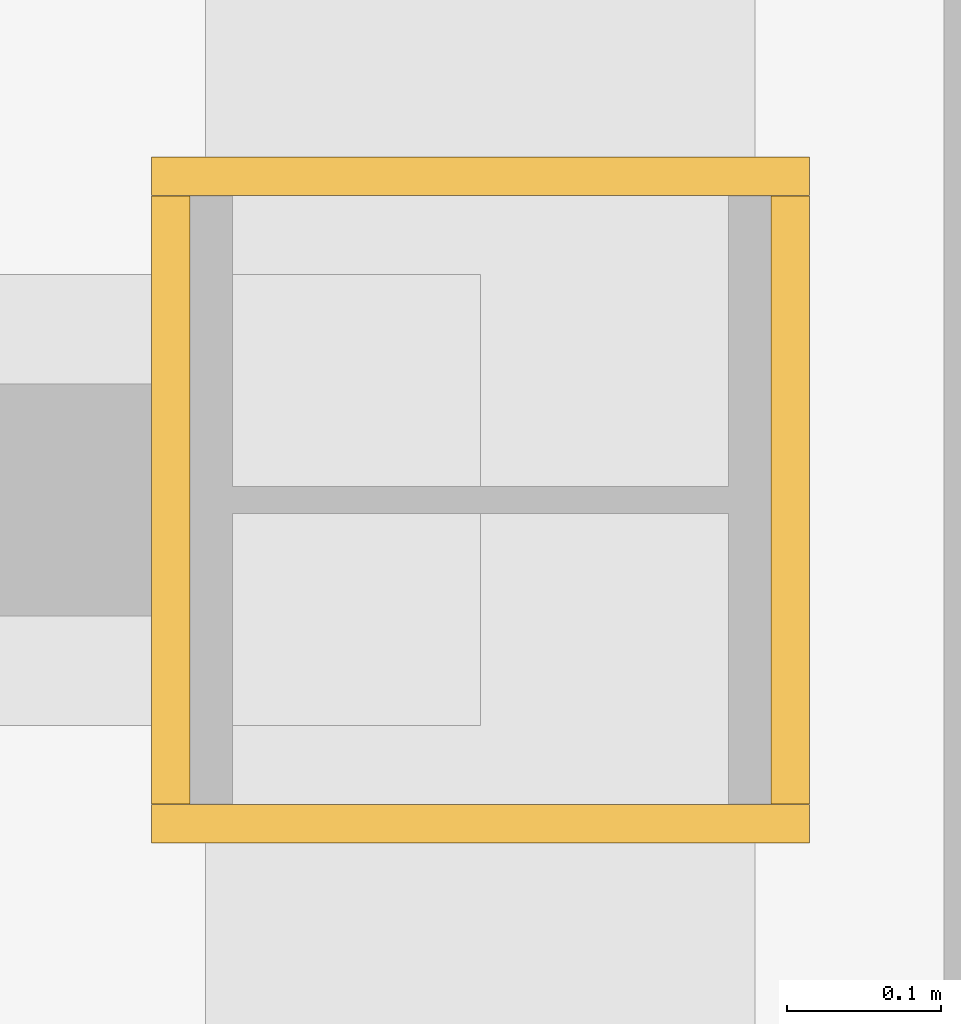
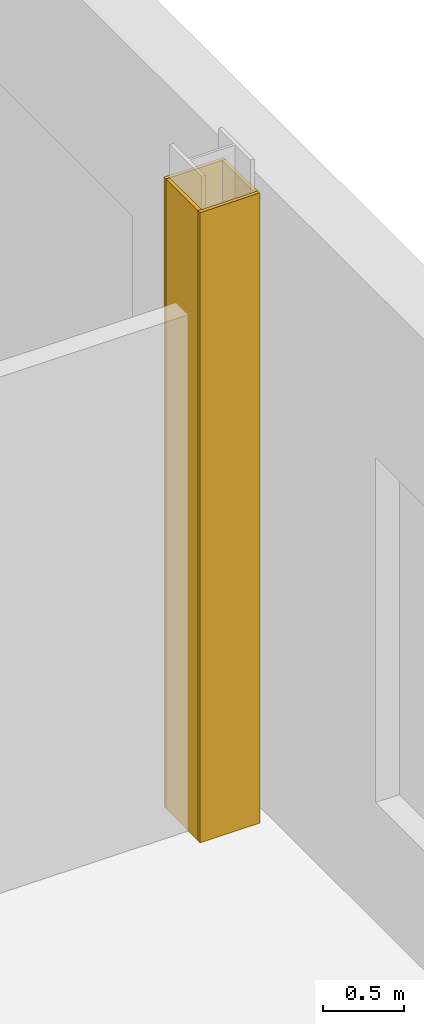
# One storey, part 29 of 31: 4 coverings.
"""IFC4 building model written with IfcOpenShell, lengths in metres."""

from ifc_helpers import new_model, si_unit, direction, frame, origin, origin_2d, place, context, subcontext, project, spatial, rectangle, extrude, material, layer, layer_set, type_object, element, save


model = new_model("IFC4")

# Units and contexts
model_context = context("Model", 3, precision=1e-05, world=origin(), true_north=direction((0.0, 1.0)))
body_context = subcontext(model_context, "Body", "Model", "MODEL_VIEW")
ifc_project = project(units=[si_unit("LENGTHUNIT", "METRE"), si_unit("AREAUNIT", "SQUARE_METRE"), si_unit("VOLUMEUNIT", "CUBIC_METRE"), si_unit("PLANEANGLEUNIT", "RADIAN"), si_unit("MASSUNIT", "GRAM", prefix="KILO")], contexts=[model_context])

# Site, building, storey
site_placement = place(None, origin())
site = spatial("IfcSite", under=ifc_project, at=site_placement, CompositionType="ELEMENT")
building_placement = place(site_placement, origin())
building = spatial("IfcBuilding", under=site, at=building_placement, Name="Loomwork Tower", CompositionType="ELEMENT")
storey_placement = place(building_placement, frame((0.0, 0.0, 11.0)))
storey = spatial("IfcBuildingStorey", under=building, at=storey_placement, Name="L02", CompositionType="ELEMENT", Elevation=11.0)

# Coverings
ifc_material = material(Name="Two-hour fire-rated gypsum board casing")
ifc_layer = layer(ifc_material, 0.02490234375)
ifc_layer_set = layer_set([ifc_layer], Name="Column fire casing 25")
covering_type = type_object("IfcCoveringType", Name="Column fire casing 25", PredefinedType="CLADDING", material=ifc_layer_set)
for number, where, z_axis, x_axis, name in (
    (1, (63.0, 27.20947265625, 0.0), (0.0, 0.0, 1.0), (1.0, 0.0, 0.0), "Column casing 63 27 L02"),
    (2, (63.0, 26.79052734375, 0.0), (0.0, 0.0, 1.0), (1.0, 0.0, 0.0), "Column casing 63 27 L02"),
):
    element("IfcCovering", number, at=place(storey_placement, frame(where, z_axis=z_axis, x_axis=x_axis)), inside=storey, type_object=covering_type, Name=name, PredefinedType="CLADDING", context=body_context, shape_type="SweptSolid", body=[
        extrude(rectangle(XDim=0.42578125, YDim=0.02490234375, at=origin_2d()), origin(), (0.0, 0.0, 1.0), 4.75),
    ])
for number, where, z_axis, x_axis, name in (
    (3, (63.200439453125, 27.0, 0.0), (0.0, 0.0, 1.0), (1.0, 0.0, 0.0), "Column casing 63 27 L02"),
    (4, (62.799560546875, 27.0, 0.0), (0.0, 0.0, 1.0), (1.0, 0.0, 0.0), "Column casing 63 27 L02"),
):
    element("IfcCovering", number, at=place(storey_placement, frame(where, z_axis=z_axis, x_axis=x_axis)), inside=storey, type_object=covering_type, Name=name, PredefinedType="CLADDING", context=body_context, shape_type="SweptSolid", body=[
        extrude(rectangle(XDim=0.02490234375, YDim=0.393798828125, at=origin_2d()), origin(), (0.0, 0.0, 1.0), 4.75),
    ])

save(model, "model.ifc")
